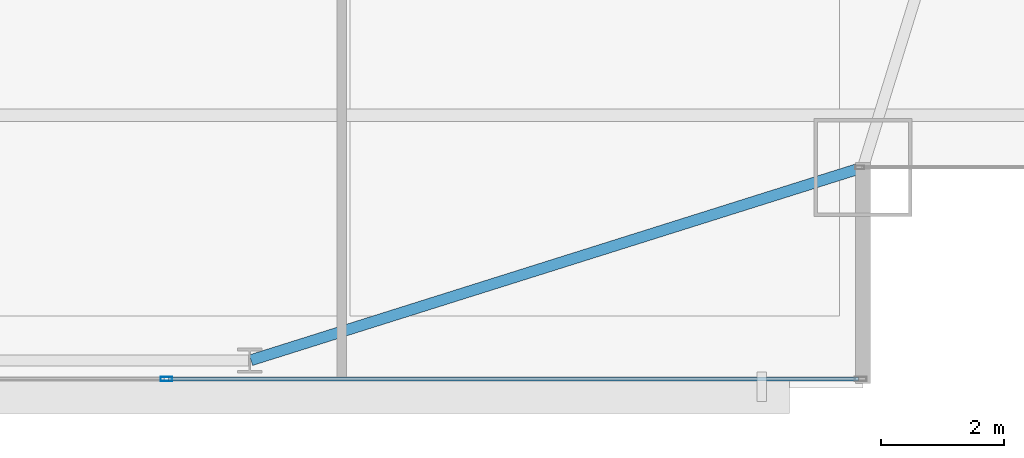
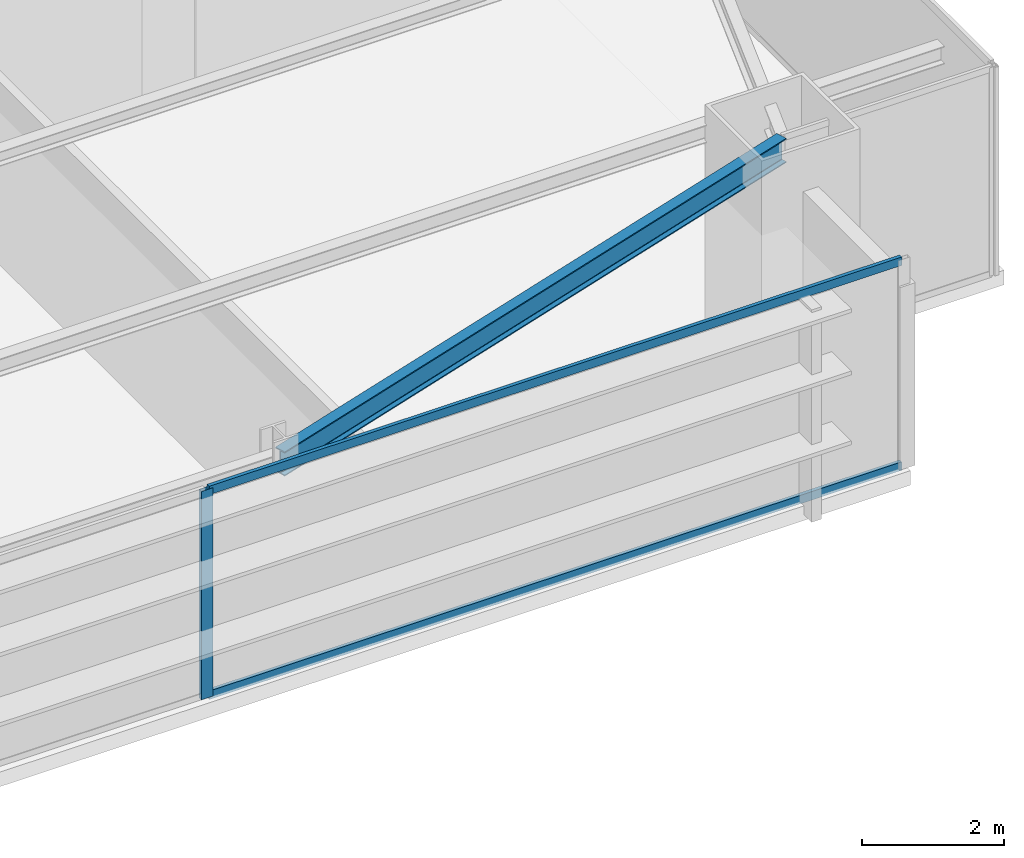
# One storey, part 14 of 32: 3 members, 1 beam, 1 element without a shape of its own.
"""IFC4 building model written with IfcOpenShell, lengths in metres."""

from ifc_helpers import new_model, si_unit, direction, frame, origin, origin_2d, place, context, subcontext, project, spatial, hollow_rectangle, i_section, extrude, source, transform, mapped, material, layer, layer_set, material_profile, profile_set, type_object, type_shapes, element, aggregate, save


model = new_model("IFC4")

# Units and contexts
model_context = context("Model", 3, precision=1e-05, world=origin(), true_north=direction((0.0, 1.0)))
body_context = subcontext(model_context, "Body", "Model", "MODEL_VIEW")
ifc_project = project(units=[si_unit("LENGTHUNIT", "METRE"), si_unit("AREAUNIT", "SQUARE_METRE"), si_unit("VOLUMEUNIT", "CUBIC_METRE"), si_unit("PLANEANGLEUNIT", "RADIAN"), si_unit("MASSUNIT", "GRAM", prefix="KILO")], contexts=[model_context])

# Site, building, storey
site_placement = place(None, origin())
site = spatial("IfcSite", under=ifc_project, at=site_placement, CompositionType="ELEMENT")
building_placement = place(site_placement, origin())
building = spatial("IfcBuilding", under=site, at=building_placement, Name="Varnel Quay Broadcast Tower", CompositionType="ELEMENT")
storey_placement = place(building_placement, frame((0.0, 0.0, 78.300048828125)))
storey = spatial("IfcBuildingStorey", under=building, at=storey_placement, Name="L18", CompositionType="ELEMENT", Elevation=78.300048828125)

# Beam
ifc_material_1 = material(Name="Structural Steel CSA G40.21 350W", Category="steel")
ifc_material_profile_1 = material_profile(ifc_material_1, i_section(OverallWidth=0.180908203125, OverallDepth=0.4169921875, WebThickness=0.010986328125, FlangeThickness=0.018310546875, FilletRadius=0.011962890625, at=origin_2d()), Name="W410X85")
ifc_profile_set_1 = profile_set([ifc_material_profile_1], Name="Structural Steel CSA G40.21 350W")
beam_type = type_object("IfcBeamType", Name="Beam_W410X85", PredefinedType="SPANDREL", material=ifc_profile_set_1)
shared_shape_1 = source(origin(), body_context, "Body", "SweptSolid", [
    extrude(i_section(OverallWidth=0.180908203125, OverallDepth=0.4169921875, WebThickness=0.010986328125, FlangeThickness=0.018310546875, FilletRadius=0.011962890625, at=origin_2d()), origin(), (0.0, 0.0, 1.0), 10.444091796875),
])
type_shapes(beam_type, [shared_shape_1])
beam_placement = place(storey_placement, frame((52.419189453125, 1.656005859375, 3.371337890625), z_axis=(0.953798277271, 0.300447743003, 0.0), x_axis=(-0.300447743003, 0.953798277271, 0.0)))
element("IfcBeam", 1, at=beam_placement, inside=storey, type_object=beam_type, Name="L18 South Spandrel TC-S5-MC-SE", PredefinedType="SPANDREL", context=body_context, shape_type="MappedRepresentation", body=[
    mapped(shared_shape_1, transform((0.0, 0.0, 0.0), x_axis=(1.0, 0.0, 0.0), y_axis=(0.0, 1.0, 0.0), z_axis=(0.0, 0.0, 1.0), scale=1.0)),
])

# Curtain wall, members
ifc_material_2 = material(Name="Anodised Bronze Aluminium 6063-T6", Category="aluminium")
ifc_layer = layer(ifc_material_2, 0.18994140625, Name="Anodised Bronze Aluminium 6063-T6")
ifc_layer_set = layer_set([ifc_layer], Name="Anodised Bronze Aluminium 6063-T6")
curtain_wall_type = type_object("IfcCurtainWallType", Name="CW_LowerTower", PredefinedType="NOTDEFINED", material=ifc_layer_set)
curtain_wall_placement = place(storey_placement, origin())
curtain_wall = element("IfcCurtainWall", 2, at=curtain_wall_placement, inside=storey, type_object=curtain_wall_type, Name="L18 South Unitised Curtain Wall 1", PredefinedType="NOTDEFINED")
ifc_material_profile_2 = material_profile(ifc_material_2, hollow_rectangle(XDim=0.06005859375, YDim=0.14501953125, WallThickness=0.00341796875, at=origin_2d()), Name="ALU60X145X3.5")
ifc_profile_set_2 = profile_set([ifc_material_profile_2], Name="Anodised Bronze Aluminium 6063-T6")
member_type_1 = type_object("IfcMemberType", Name="Tran_CWS-02", PredefinedType="USERDEFINED", material=ifc_profile_set_2)
shared_shape_2 = source(origin(), body_context, "Body", "SweptSolid", [
    extrude(hollow_rectangle(XDim=0.06005859375, YDim=0.14501953125, WallThickness=0.00341796875, at=origin_2d()), origin(), (0.0, 0.0, 1.0), 11.255126953125),
])
type_shapes(member_type_1, [shared_shape_2])
member_1_placement = place(storey_placement, frame((51.074951171875, 1.35009765625, 0.030029296875), z_axis=(1.0, 0.0, 0.0), x_axis=(0.0, 1.0, 0.0)))
member_1 = element("IfcMember", 3, at=member_1_placement, type_object=member_type_1, Name="CWS-02 transom 5.1", ObjectType="TRANSOM", PredefinedType="USERDEFINED", context=body_context, shape_type="MappedRepresentation", body=[
    mapped(shared_shape_2, transform((0.0, 0.0, 0.0), x_axis=(1.0, 0.0, 0.0), y_axis=(0.0, 1.0, 0.0), z_axis=(0.0, 0.0, 1.0), scale=1.0)),
])
member_2_placement = place(storey_placement, frame((51.074951171875, 1.35009765625, 3.550048828125), z_axis=(1.0, 0.0, 0.0), x_axis=(0.0, 1.0, 0.0)))
member_2 = element("IfcMember", 4, at=member_2_placement, type_object=member_type_1, Name="CWS-02 transom 5.2", ObjectType="TRANSOM", PredefinedType="USERDEFINED", context=body_context, shape_type="MappedRepresentation", body=[
    mapped(shared_shape_2, transform((0.0, 0.0, 0.0), x_axis=(1.0, 0.0, 0.0), y_axis=(0.0, 1.0, 0.0), z_axis=(0.0, 0.0, 1.0), scale=1.0)),
])
ifc_material_profile_3 = material_profile(ifc_material_2, hollow_rectangle(XDim=0.070068359375, YDim=0.18994140625, WallThickness=0.00390625, at=origin_2d()), Name="ALU70X190X4")
ifc_profile_set_3 = profile_set([ifc_material_profile_3], Name="Anodised Bronze Aluminium 6063-T6")
member_type_2 = type_object("IfcMemberType", Name="Mull_CWS-02", PredefinedType="MULLION", material=ifc_profile_set_3)
shared_shape_3 = source(origin(), body_context, "Body", "SweptSolid", [
    extrude(hollow_rectangle(XDim=0.070068359375, YDim=0.18994140625, WallThickness=0.00390625, at=origin_2d()), origin(), (0.0, 0.0, 1.0), 3.579833984375),
])
type_shapes(member_type_2, [shared_shape_3])
member_3_placement = place(storey_placement, frame((51.0400390625, 1.35009765625, 0.0), z_axis=(0.0, 0.0, 1.0), x_axis=(0.0, 1.0, 0.0)))
member_3 = element("IfcMember", 5, at=member_3_placement, type_object=member_type_2, Name="CWS-02 mullion 5", PredefinedType="MULLION", context=body_context, shape_type="MappedRepresentation", body=[
    mapped(shared_shape_3, transform((0.0, 0.0, 0.0), x_axis=(1.0, 0.0, 0.0), y_axis=(0.0, 1.0, 0.0), z_axis=(0.0, 0.0, 1.0), scale=1.0)),
])
aggregate(curtain_wall, [member_3, member_1, member_2])

save(model, "model.ifc")
